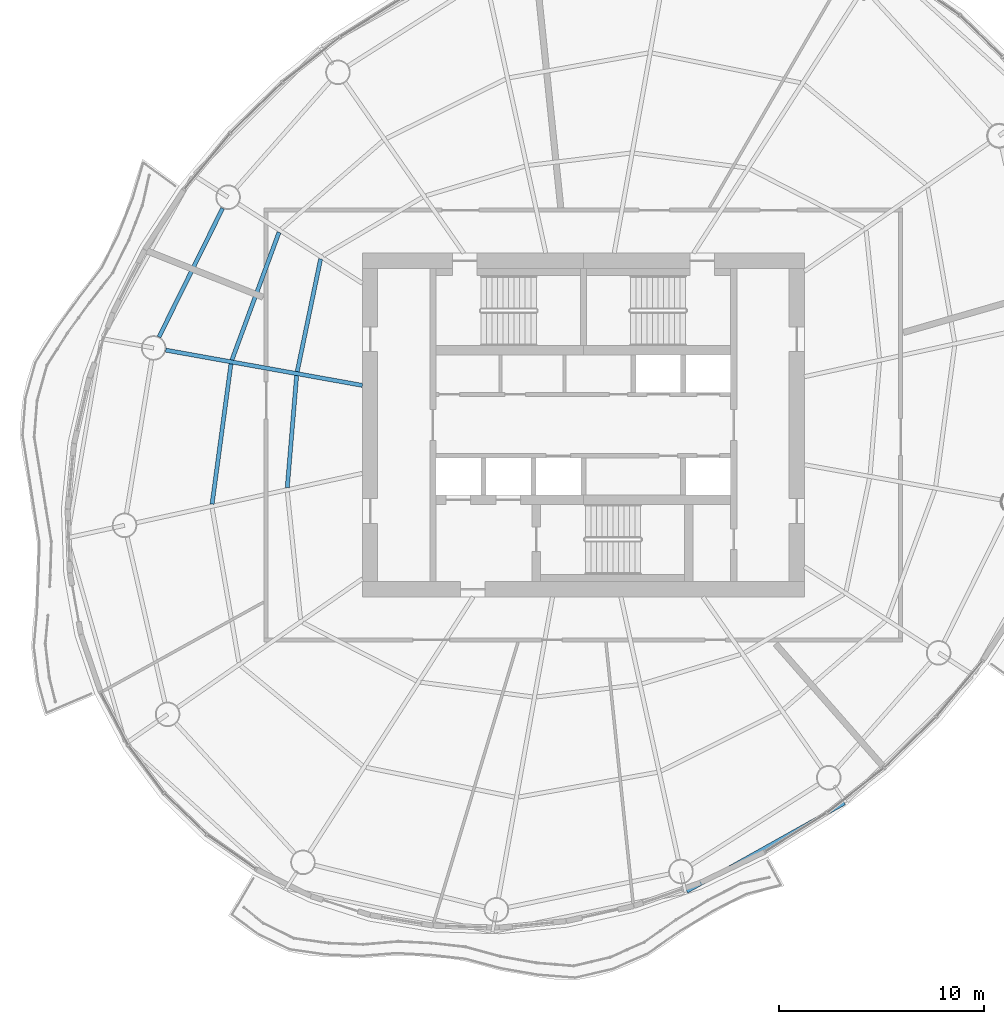
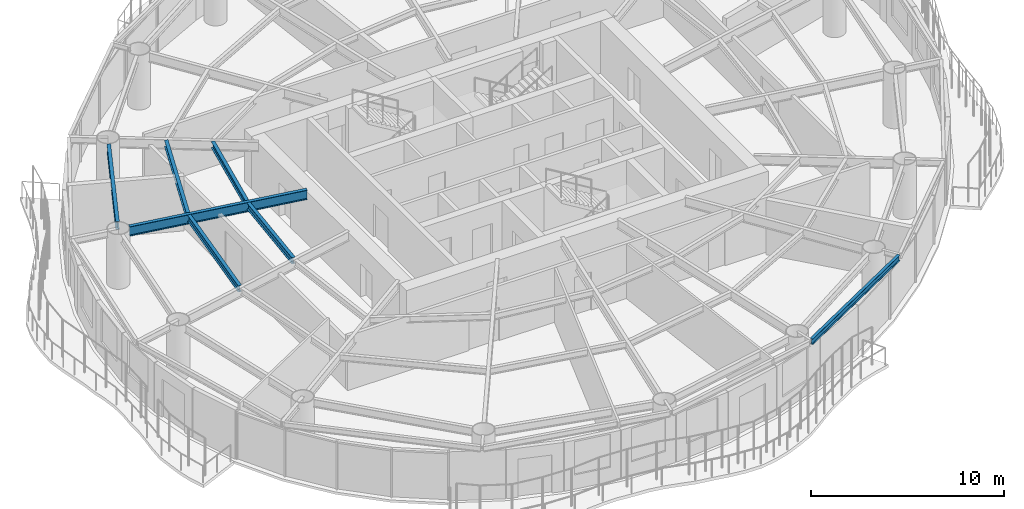
# One storey, part 3 of 14: 7 beams.
"""IFC4 building model written with IfcOpenShell, lengths in metres."""

from ifc_helpers import new_model, si_unit, direction, frame, origin, origin_2d, place, context, subcontext, project, spatial, i_section, extrude, material, material_profile, profile_set, type_object, element, save


model = new_model("IFC4")

# Units and contexts
model_context = context("Model", 3, precision=1e-05, world=origin(), true_north=direction((0.0, 1.0)))
body_context = subcontext(model_context, "Body", "Model", "MODEL_VIEW")
ifc_project = project(units=[si_unit("LENGTHUNIT", "METRE"), si_unit("AREAUNIT", "SQUARE_METRE"), si_unit("VOLUMEUNIT", "CUBIC_METRE"), si_unit("PLANEANGLEUNIT", "RADIAN"), si_unit("MASSUNIT", "GRAM", prefix="KILO")], contexts=[model_context])

# Site, building, storey
site_placement = place(None, origin())
site = spatial("IfcSite", under=ifc_project, at=site_placement, CompositionType="ELEMENT")
building_placement = place(site_placement, origin())
building = spatial("IfcBuilding", under=site, at=building_placement, Name="Vermilion Reach Broadcast Tower", CompositionType="ELEMENT")
storey_placement = place(building_placement, frame((0.0, 0.0, 199.300048828125)))
storey = spatial("IfcBuildingStorey", under=building, at=storey_placement, Name="L48", CompositionType="ELEMENT", Elevation=199.300048828125)

# Beams
ifc_material_1 = material(Name="Steel S355J2", Category="steel")
ifc_material_profile_1 = material_profile(ifc_material_1, i_section(OverallWidth=0.175048828125, OverallDepth=0.35009765625, WebThickness=0.007080078125, FlangeThickness=0.010986328125, at=origin_2d()), Name="S355J2 HN 350x175x7x11")
ifc_profile_set_1 = profile_set([ifc_material_profile_1], Name="Steel S355J2")
beam_type_1 = type_object("IfcBeamType", Name="EB4 HN 350x175x7x11", PredefinedType="BEAM", material=ifc_profile_set_1)
beam_1_placement = place(storey_placement, frame((-0.940673828125, -22.794677734375, 3.27490234375), z_axis=(0.872694473741, 0.488266684817, 0.0), x_axis=(-0.488266684817, 0.872694473741, 0.0)))
element("IfcBeam", 1, at=beam_1_placement, inside=storey, type_object=beam_type_1, Name="Edge beam EB4-11", PredefinedType="BEAM", context=body_context, shape_type="SweptSolid", body=[
    extrude(i_section(OverallWidth=0.175048828125, OverallDepth=0.35009765625, WebThickness=0.007080078125, FlangeThickness=0.010986328125, at=origin_2d()), origin(), (0.0, 0.0, 1.0), 8.833251953125),
])
ifc_material_2 = material(Name="Steel S355J2", Category="steel")
ifc_material_profile_2 = material_profile(ifc_material_2, i_section(OverallWidth=0.199951171875, OverallDepth=0.60009765625, WebThickness=0.010986328125, FlangeThickness=0.01708984375, at=origin_2d()), Name="S355J2 HN 600x200x11x17")
ifc_profile_set_2 = profile_set([ifc_material_profile_2], Name="Steel S355J2")
beam_type_2 = type_object("IfcBeamType", Name="G4 HN 600x200x11x17", PredefinedType="BEAM", material=ifc_profile_set_2)
beam_2_placement = place(storey_placement, frame((-16.800048828125, 1.9375, 3.14990234375), z_axis=(-0.984291153273, 0.176552897422, 0.0), x_axis=(-0.176552897422, -0.984291153273, 0.0)))
element("IfcBeam", 2, at=beam_2_placement, inside=storey, type_object=beam_type_2, Name="Girder G4-06", PredefinedType="BEAM", context=body_context, shape_type="SweptSolid", body=[
    extrude(i_section(OverallWidth=0.199951171875, OverallDepth=0.60009765625, WebThickness=0.010986328125, FlangeThickness=0.01708984375, at=origin_2d()), origin(), (0.0, 0.0, 1.0), 9.765380859375),
])
ifc_material_3 = material(Name="Steel S355J2", Category="steel")
ifc_material_profile_3 = material_profile(ifc_material_3, i_section(OverallWidth=0.199951171875, OverallDepth=0.5, WebThickness=0.010009765625, FlangeThickness=0.01611328125, at=origin_2d()), Name="S355J2 HN 500x200x10x16")
ifc_profile_set_3 = profile_set([ifc_material_profile_3], Name="Steel S355J2")
beam_type_3 = type_object("IfcBeamType", Name="RB4 HN 500x200x10x16", PredefinedType="BEAM", material=ifc_profile_set_3)
beam_3_placement = place(storey_placement, frame((-23.628662109375, 10.595947265625, 3.199951171875), z_axis=(-0.442977497199, -0.896532730566, 0.0), x_axis=(0.896532730566, -0.442977497199, 0.0)))
element("IfcBeam", 3, at=beam_3_placement, inside=storey, type_object=beam_type_3, Name="Ring beam RB4-05", PredefinedType="BEAM", context=body_context, shape_type="SweptSolid", body=[
    extrude(i_section(OverallWidth=0.199951171875, OverallDepth=0.5, WebThickness=0.010009765625, FlangeThickness=0.01611328125, at=origin_2d()), origin(), (0.0, 0.0, 1.0), 7.0166015625),
])
ifc_material_4 = material(Name="Steel S355J2", Category="steel")
ifc_material_profile_4 = material_profile(ifc_material_4, i_section(OverallWidth=0.199951171875, OverallDepth=0.39990234375, WebThickness=0.008056640625, FlangeThickness=0.012939453125, at=origin_2d()), Name="S355J2 HN 400x200x8x13")
ifc_profile_set_4 = profile_set([ifc_material_profile_4], Name="Steel S355J2")
beam_type_4 = type_object("IfcBeamType", Name="SB4 HN 400x200x8x13", PredefinedType="BEAM", material=ifc_profile_set_4)
beam_4_placement = place(storey_placement, frame((-18.841064453125, 8.115478515625, 3.25), z_axis=(-0.20320860258, -0.979135467562, 0.0), x_axis=(0.979135467562, -0.20320860258, 0.0)))
element("IfcBeam", 4, at=beam_4_placement, inside=storey, type_object=beam_type_4, Name="Secondary beam SB4-05-1", PredefinedType="BEAM", context=body_context, shape_type="SweptSolid", body=[
    extrude(i_section(OverallWidth=0.199951171875, OverallDepth=0.39990234375, WebThickness=0.008056640625, FlangeThickness=0.012939453125, at=origin_2d()), origin(), (0.0, 0.0, 1.0), 5.622802734375),
])
beam_5_placement = place(storey_placement, frame((-20.8740234375, 9.419189453125, 3.25), z_axis=(-0.345833008621, -0.938296078084, 0.0), x_axis=(0.938296078084, -0.345833008621, 0.0)))
element("IfcBeam", 5, at=beam_5_placement, inside=storey, type_object=beam_type_4, Name="Secondary beam SB4-05-2", PredefinedType="BEAM", context=body_context, shape_type="SweptSolid", body=[
    extrude(i_section(OverallWidth=0.199951171875, OverallDepth=0.39990234375, WebThickness=0.008056640625, FlangeThickness=0.012939453125, at=origin_2d()), origin(), (0.0, 0.0, 1.0), 6.647216796875),
])
beam_6_placement = place(storey_placement, frame((-20.012451171875, 2.412109375, 3.25), z_axis=(-0.08339866655, -0.996516262997, 0.0), x_axis=(0.996516262997, -0.08339866655, 0.0)))
element("IfcBeam", 6, at=beam_6_placement, inside=storey, type_object=beam_type_4, Name="Secondary beam SB4-06-1", PredefinedType="BEAM", context=body_context, shape_type="SweptSolid", body=[
    extrude(i_section(OverallWidth=0.199951171875, OverallDepth=0.39990234375, WebThickness=0.008056640625, FlangeThickness=0.012939453125, at=origin_2d()), origin(), (0.0, 0.0, 1.0), 5.49169921875),
])
beam_7_placement = place(storey_placement, frame((-23.221435546875, 2.98779296875, 3.25), z_axis=(-0.133486718782, -0.991050602093, 0.0), x_axis=(0.991050602093, -0.133486718782, 0.0)))
element("IfcBeam", 7, at=beam_7_placement, inside=storey, type_object=beam_type_4, Name="Secondary beam SB4-06-2", PredefinedType="BEAM", context=body_context, shape_type="SweptSolid", body=[
    extrude(i_section(OverallWidth=0.199951171875, OverallDepth=0.39990234375, WebThickness=0.008056640625, FlangeThickness=0.012939453125, at=origin_2d()), origin(), (0.0, 0.0, 1.0), 6.913330078125),
])

save(model, "model.ifc")
